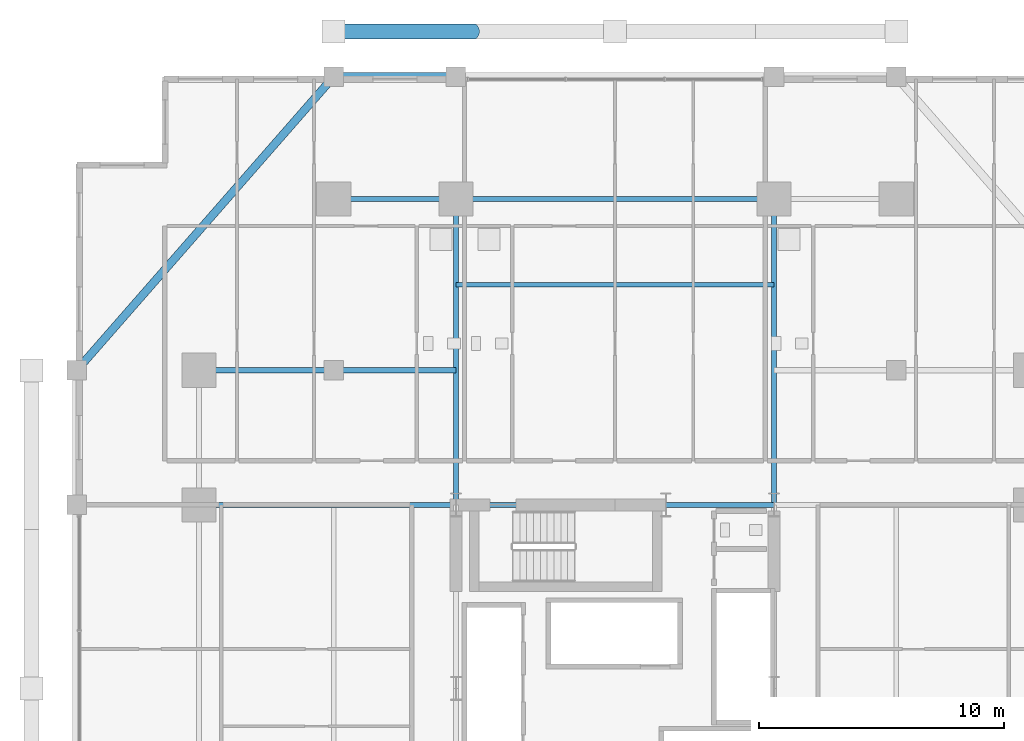
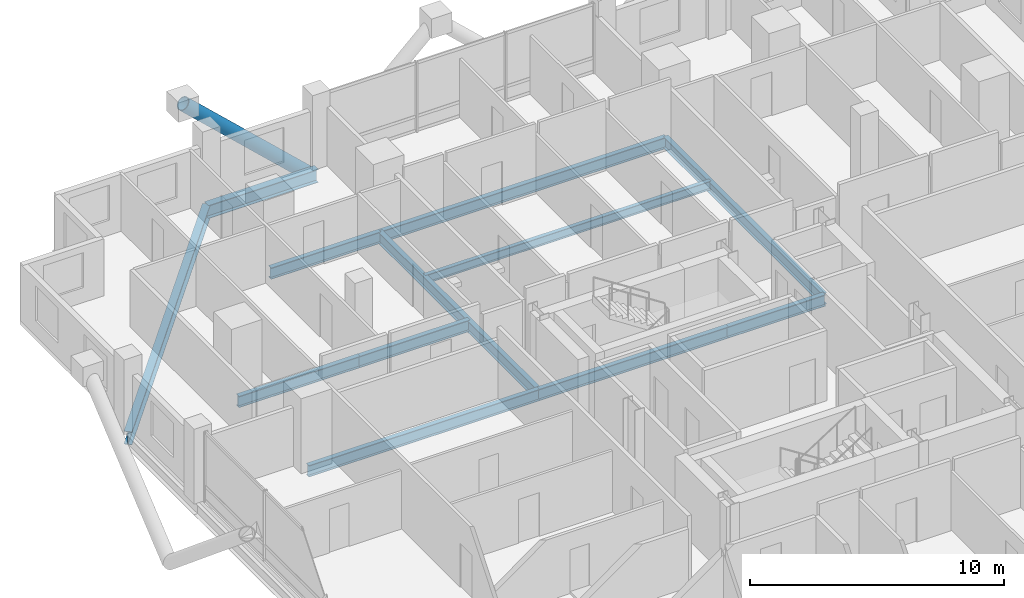
# One storey, part 12 of 24: 12 beams, 1 member.
"""IFC4 building model written with IfcOpenShell, lengths in metres."""

from ifc_helpers import new_model, si_unit, direction, frame, origin, origin_2d, place, context, subcontext, project, spatial, hollow_circle, i_section, extrude, material, material_profile, profile_set, type_object, element, save


model = new_model("IFC4")

# Units and contexts
model_context = context("Model", 3, precision=1e-05, world=origin(), true_north=direction((0.0, 1.0)))
body_context = subcontext(model_context, "Body", "Model", "MODEL_VIEW")
ifc_project = project(units=[si_unit("LENGTHUNIT", "METRE"), si_unit("AREAUNIT", "SQUARE_METRE"), si_unit("VOLUMEUNIT", "CUBIC_METRE"), si_unit("PLANEANGLEUNIT", "RADIAN"), si_unit("MASSUNIT", "GRAM", prefix="KILO")], contexts=[model_context])

# Site, building, storey
site_placement = place(None, origin())
site = spatial("IfcSite", under=ifc_project, at=site_placement, CompositionType="ELEMENT")
building_placement = place(site_placement, origin())
building = spatial("IfcBuilding", under=site, at=building_placement, Name="Barlavira Tower and Art Museum", CompositionType="ELEMENT")
storey_placement = place(building_placement, frame((0.0, 0.0, 46.800048828125)))
storey = spatial("IfcBuildingStorey", under=building, at=storey_placement, Name="L10", CompositionType="ELEMENT", Elevation=46.800048828125)

# Member
ifc_material = material(Name="Steel S355", Category="steel")
ifc_material_profile_1 = material_profile(ifc_material, hollow_circle(Radius=0.304931640625, WallThickness=0.028076171875, at=origin_2d()), Name="CHS 610.0x28.0")
ifc_profile_set_1 = profile_set([ifc_material_profile_1], Name="Steel S355")
member_type = type_object("IfcMemberType", Name="Pale-Metal Exoskeleton Diagrid Tube CHS 610x28 Steel S355", PredefinedType="BRACE", material=ifc_profile_set_1)
member_placement = place(storey_placement, frame((-5.75, 26.85009765625, -1.920166015625), z_axis=(-0.728934650808, 0.0, 0.684583285548), x_axis=(0.0, -1.0, 0.0)))
element("IfcMember", 1, at=member_placement, inside=storey, type_object=member_type, Name="L10 Exoskeleton Diagrid Tube N", PredefinedType="BRACE", context=body_context, shape_type="SweptSolid", body=[
    extrude(hollow_circle(Radius=0.304931640625, WallThickness=0.028076171875, at=origin_2d()), origin(), (0.0, 0.0, 1.0), 7.88818359375),
])

# Beams
ifc_material_profile_2 = material_profile(ifc_material, i_section(OverallWidth=0.327880859375, OverallDepth=0.62890625, WebThickness=0.013916015625, FlangeThickness=0.021484375, at=origin_2d()), Name="W610x174.0")
ifc_profile_set_2 = profile_set([ifc_material_profile_2], Name="Steel S355")
beam_type_1 = type_object("IfcBeamType", Name="Perimeter Spandrel Edge Beam W610x174 Steel S355", PredefinedType="SPANDREL", material=ifc_profile_set_2)
beam_1_placement = place(storey_placement, frame((-11.5, 25.0, -0.53466796875), z_axis=(1.0, 0.0, 0.0), x_axis=(0.0, 1.0, 0.0)))
element("IfcBeam", 2, at=beam_1_placement, inside=storey, type_object=beam_type_1, Name="L10 Spandrel 11", PredefinedType="SPANDREL", context=body_context, shape_type="SweptSolid", body=[
    extrude(i_section(OverallWidth=0.327880859375, OverallDepth=0.62890625, WebThickness=0.013916015625, FlangeThickness=0.021484375, at=origin_2d()), origin(), (0.0, 0.0, 1.0), 5.0),
])
beam_2_placement = place(storey_placement, frame((-11.5, 25.0, -0.53466796875), z_axis=(-0.658504607869, -0.752576694707, 0.0), x_axis=(0.752576694707, -0.658504607869, 0.0)))
element("IfcBeam", 3, at=beam_2_placement, inside=storey, type_object=beam_type_1, Name="L10 Spandrel 12", PredefinedType="SPANDREL", context=body_context, shape_type="SweptSolid", body=[
    extrude(i_section(OverallWidth=0.327880859375, OverallDepth=0.62890625, WebThickness=0.013916015625, FlangeThickness=0.021484375, at=origin_2d()), origin(), (0.0, 0.0, 1.0), 15.9453125),
])
ifc_material_profile_3 = material_profile(ifc_material, i_section(OverallWidth=0.180908203125, OverallDepth=0.4169921875, WebThickness=0.010986328125, FlangeThickness=0.018310546875, at=origin_2d()), Name="W410x85.0")
ifc_profile_set_3 = profile_set([ifc_material_profile_3], Name="Steel S355")
beam_type_2 = type_object("IfcBeamType", Name="Zone 1 Composite Floor Joist W410x85 Steel S355", PredefinedType="JOIST", material=ifc_profile_set_3)
beam_3_placement = place(storey_placement, frame((-6.5, 16.5, -0.428466796875), z_axis=(1.0, 0.0, 0.0), x_axis=(0.0, 1.0, 0.0)))
element("IfcBeam", 4, at=beam_3_placement, inside=storey, type_object=beam_type_2, Name="L10 Joist C2", PredefinedType="JOIST", context=body_context, shape_type="SweptSolid", body=[
    extrude(i_section(OverallWidth=0.180908203125, OverallDepth=0.4169921875, WebThickness=0.010986328125, FlangeThickness=0.018310546875, at=origin_2d()), origin(), (0.0, 0.0, 1.0), 13.0),
])
ifc_material_profile_4 = material_profile(ifc_material, i_section(OverallWidth=0.214111328125, OverallDepth=0.549072265625, WebThickness=0.0146484375, FlangeThickness=0.023681640625, at=origin_2d()), Name="W530x138.0")
ifc_profile_set_4 = profile_set([ifc_material_profile_4], Name="Steel S355")
beam_type_3 = type_object("IfcBeamType", Name="Zone 1 Primary Floor Girder W530x138 Steel S355", PredefinedType="BEAM", material=ifc_profile_set_4)
beam_4_placement = place(storey_placement, frame((-6.5, 7.5, -0.49462890625), z_axis=(1.0, 0.0, 0.0), x_axis=(0.0, 1.0, 0.0)))
element("IfcBeam", 5, at=beam_4_placement, inside=storey, type_object=beam_type_3, Name="L10 Girder C-N1", PredefinedType="BEAM", context=body_context, shape_type="SweptSolid", body=[
    extrude(i_section(OverallWidth=0.214111328125, OverallDepth=0.549072265625, WebThickness=0.0146484375, FlangeThickness=0.023681640625, at=origin_2d()), origin(), (0.0, 0.0, 1.0), 8.580078125),
])
beam_5_placement = place(storey_placement, frame((2.080078125, 7.5, -0.49462890625), z_axis=(1.0, 0.0, 0.0), x_axis=(0.0, 1.0, 0.0)))
element("IfcBeam", 6, at=beam_5_placement, inside=storey, type_object=beam_type_3, Name="L10 Girder C-N2", PredefinedType="BEAM", context=body_context, shape_type="SweptSolid", body=[
    extrude(i_section(OverallWidth=0.214111328125, OverallDepth=0.549072265625, WebThickness=0.0146484375, FlangeThickness=0.023681640625, at=origin_2d()), origin(), (0.0, 0.0, 1.0), 4.419921875),
])
beam_6_placement = place(storey_placement, frame((-11.5, 20.0, -0.49462890625), z_axis=(1.0, 0.0, 0.0), x_axis=(0.0, 1.0, 0.0)))
element("IfcBeam", 7, at=beam_6_placement, inside=storey, type_object=beam_type_3, Name="L10 Girder M-N1", PredefinedType="BEAM", context=body_context, shape_type="SweptSolid", body=[
    extrude(i_section(OverallWidth=0.214111328125, OverallDepth=0.549072265625, WebThickness=0.0146484375, FlangeThickness=0.023681640625, at=origin_2d()), origin(), (0.0, 0.0, 1.0), 5.0),
])
beam_7_placement = place(storey_placement, frame((-6.5, 20.0, -0.49462890625), z_axis=(1.0, 0.0, 0.0), x_axis=(0.0, 1.0, 0.0)))
element("IfcBeam", 8, at=beam_7_placement, inside=storey, type_object=beam_type_3, Name="L10 Girder M-N2", PredefinedType="BEAM", context=body_context, shape_type="SweptSolid", body=[
    extrude(i_section(OverallWidth=0.214111328125, OverallDepth=0.549072265625, WebThickness=0.0146484375, FlangeThickness=0.023681640625, at=origin_2d()), origin(), (0.0, 0.0, 1.0), 13.0),
])
for number, where, z_axis, x_axis, name in (
    (9, (-6.5, 7.5, -0.49462890625), (0.0, 1.0, 0.0), (-1.0, 0.0, 0.0), "L10 Girder R-N1"),
    (10, (6.5, 7.5, -0.49462890625), (0.0, 1.0, 0.0), (-1.0, 0.0, 0.0), "L10 Girder R-N2"),
):
    element("IfcBeam", number, at=place(storey_placement, frame(where, z_axis=z_axis, x_axis=x_axis)), inside=storey, type_object=beam_type_3, Name=name, PredefinedType="BEAM", context=body_context, shape_type="SweptSolid", body=[
        extrude(i_section(OverallWidth=0.214111328125, OverallDepth=0.549072265625, WebThickness=0.0146484375, FlangeThickness=0.023681640625, at=origin_2d()), origin(), (0.0, 0.0, 1.0), 12.5),
    ])
beam_8_placement = place(storey_placement, frame((-17.0, 7.5, -0.49462890625), z_axis=(1.0, 0.0, 0.0), x_axis=(0.0, 1.0, 0.0)))
element("IfcBeam", 11, at=beam_8_placement, inside=storey, type_object=beam_type_3, Name="L10 Girder R-W2", PredefinedType="BEAM", context=body_context, shape_type="SweptSolid", body=[
    extrude(i_section(OverallWidth=0.214111328125, OverallDepth=0.549072265625, WebThickness=0.0146484375, FlangeThickness=0.023681640625, at=origin_2d()), origin(), (0.0, 0.0, 1.0), 10.5),
])
beam_9_placement = place(storey_placement, frame((-17.0, 13.0, -0.49462890625), z_axis=(1.0, 0.0, 0.0), x_axis=(0.0, 1.0, 0.0)))
element("IfcBeam", 12, at=beam_9_placement, inside=storey, type_object=beam_type_3, Name="L10 Girder I-N1", PredefinedType="BEAM", context=body_context, shape_type="SweptSolid", body=[
    extrude(i_section(OverallWidth=0.214111328125, OverallDepth=0.549072265625, WebThickness=0.0146484375, FlangeThickness=0.023681640625, at=origin_2d()), origin(), (0.0, 0.0, 1.0), 5.5),
])
beam_10_placement = place(storey_placement, frame((-11.5, 13.0, -0.49462890625), z_axis=(1.0, 0.0, 0.0), x_axis=(0.0, 1.0, 0.0)))
element("IfcBeam", 13, at=beam_10_placement, inside=storey, type_object=beam_type_3, Name="L10 Girder I-N2", PredefinedType="BEAM", context=body_context, shape_type="SweptSolid", body=[
    extrude(i_section(OverallWidth=0.214111328125, OverallDepth=0.549072265625, WebThickness=0.0146484375, FlangeThickness=0.023681640625, at=origin_2d()), origin(), (0.0, 0.0, 1.0), 5.0),
])

save(model, "model.ifc")
